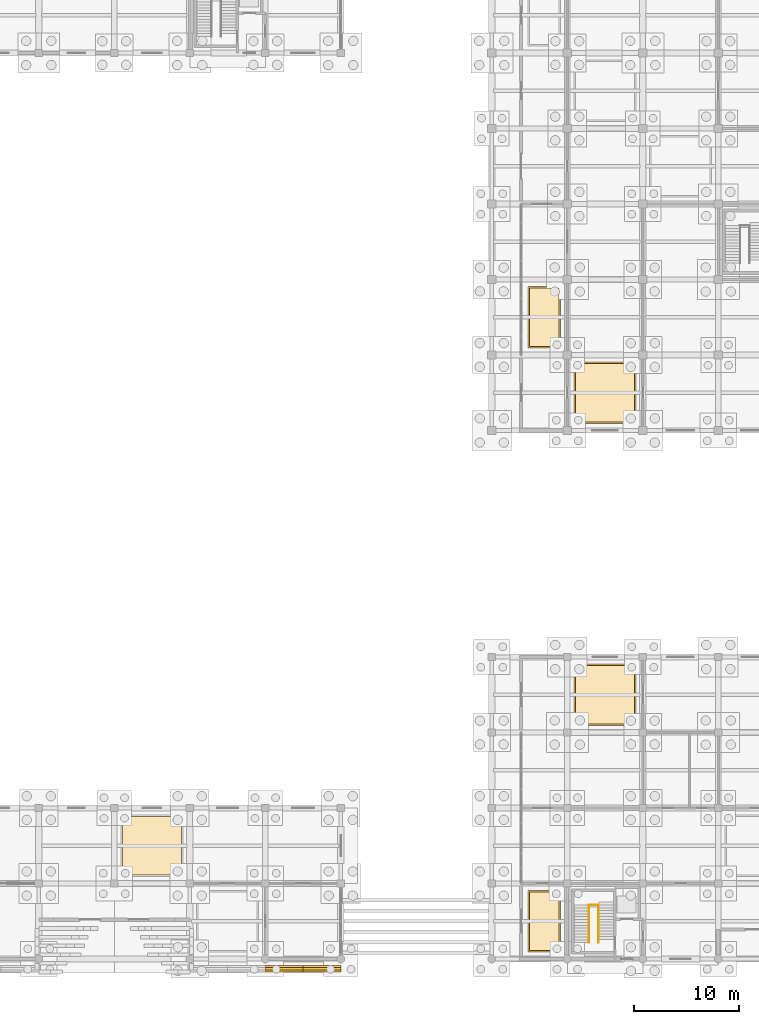
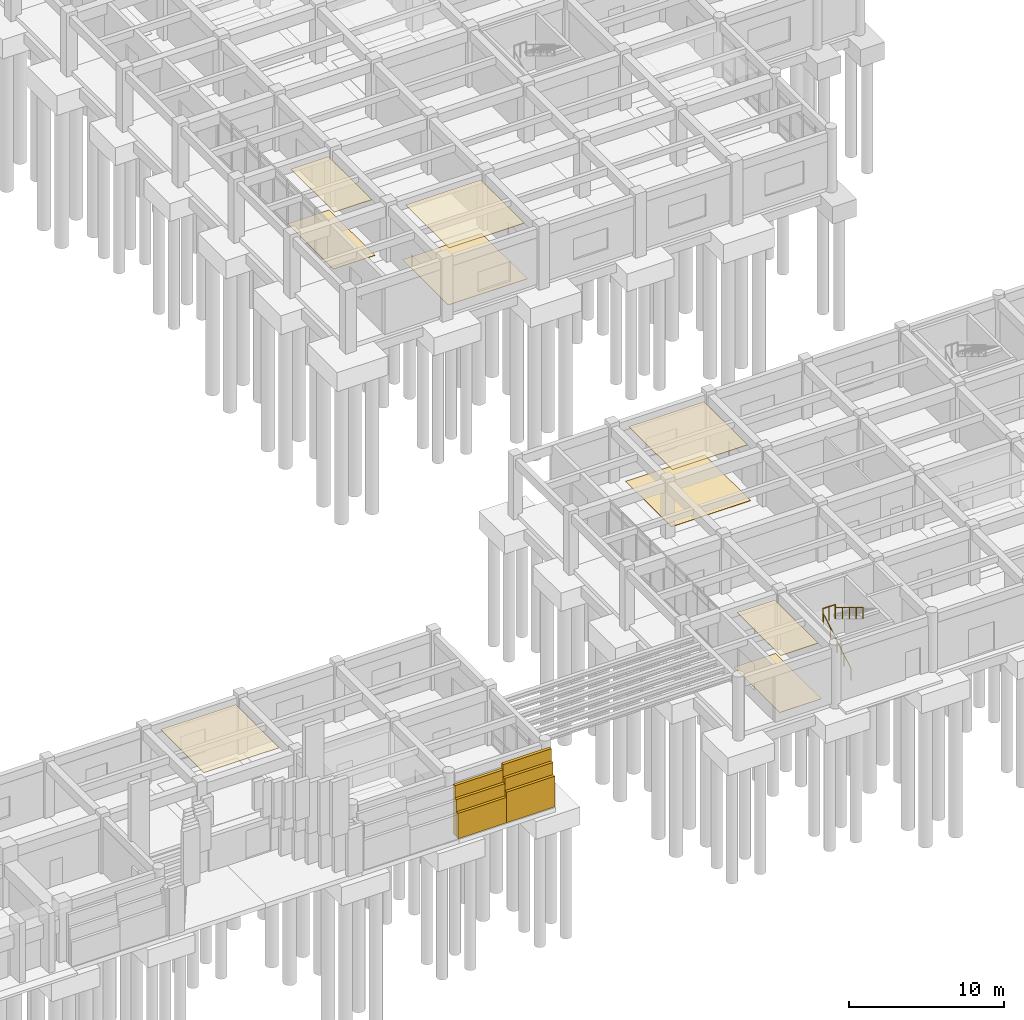
# One storey, part 73 of 79: 15 coverings, 3 railings.
"""IFC4 building model written with IfcOpenShell, lengths in metres."""

from ifc_helpers import new_model, si_unit, direction, frame, origin, origin_2d, place, context, subcontext, project, spatial, polyline, circle, outline, extrude, material, layer, layer_set, type_object, element, save


model = new_model("IFC4")

# Units and contexts
model_context = context("Model", 3, precision=1e-05, world=origin(), true_north=direction((0.0, 1.0)))
body_context = subcontext(model_context, "Body", "Model", "MODEL_VIEW")
ifc_project = project(units=[si_unit("LENGTHUNIT", "METRE"), si_unit("AREAUNIT", "SQUARE_METRE"), si_unit("VOLUMEUNIT", "CUBIC_METRE"), si_unit("PLANEANGLEUNIT", "RADIAN"), si_unit("MASSUNIT", "GRAM", prefix="KILO")], contexts=[model_context])

# Site, building, storey
site_placement = place(None, origin())
site = spatial("IfcSite", under=ifc_project, at=site_placement, CompositionType="ELEMENT")
building_placement = place(site_placement, origin())
building = spatial("IfcBuilding", under=site, at=building_placement, Name="Kavelor Marine Aquarium", CompositionType="ELEMENT")
storey_placement = place(building_placement, origin())
storey = spatial("IfcBuildingStorey", under=building, at=storey_placement, Name="L00", CompositionType="ELEMENT", Elevation=0.0)

# Coverings
ifc_material_1 = material(Name="Concrete C45/55", Category="concrete")
ifc_layer_1 = layer(ifc_material_1, 0.300048828125)
ifc_layer_set_1 = layer_set([ifc_layer_1], Name="COV-BND1")
covering_type_1 = type_object("IfcCoveringType", Name="COV-BND1", PredefinedType="CLADDING", material=ifc_layer_set_1)
covering_1_placement = place(storey_placement, origin())
element("IfcCovering", 1, at=covering_1_placement, inside=storey, type_object=covering_type_1, Name="band:south:1:r:02", PredefinedType="CLADDING", context=body_context, shape_type="SweptSolid", body=[
    extrude(outline(polyline([(96.800048828125, 1.56005859375), (100.39990234375, 1.56005859375), (100.39990234375, 1.780029296875), (96.800048828125, 1.780029296875), (96.800048828125, 1.56005859375)])), origin(), (0.0, 0.0, 1.0), 2.00048828125),
])
covering_2_placement = place(storey_placement, origin())
element("IfcCovering", 2, at=covering_2_placement, inside=storey, type_object=covering_type_1, Name="band:south:1:r:03", PredefinedType="CLADDING", context=body_context, shape_type="SweptSolid", body=[
    extrude(outline(polyline([(100.39990234375, 1.56005859375), (104.0, 1.56005859375), (104.0, 1.780029296875), (100.39990234375, 1.780029296875), (100.39990234375, 1.56005859375)])), origin(), (0.0, 0.0, 1.0), 2.4111328125),
])
ifc_material_2 = material(Name="Concrete C45/55", Category="concrete")
ifc_layer_2 = layer(ifc_material_2, 0.320068359375)
ifc_layer_set_2 = layer_set([ifc_layer_2], Name="COV-BND2")
covering_type_2 = type_object("IfcCoveringType", Name="COV-BND2", PredefinedType="CLADDING", material=ifc_layer_set_2)
covering_3_placement = place(storey_placement, origin())
element("IfcCovering", 3, at=covering_3_placement, inside=storey, type_object=covering_type_2, Name="band:south:2:r:02", PredefinedType="CLADDING", context=body_context, shape_type="SweptSolid", body=[
    extrude(outline(polyline([(96.800048828125, 1.77001953125), (100.39990234375, 1.77001953125), (100.39990234375, 1.989990234375), (96.800048828125, 1.989990234375), (96.800048828125, 1.77001953125)])), origin(), (0.0, 0.0, 1.0), 2.96044921875),
])
covering_4_placement = place(storey_placement, origin())
element("IfcCovering", 4, at=covering_4_placement, inside=storey, type_object=covering_type_2, Name="band:south:2:r:03", PredefinedType="CLADDING", context=body_context, shape_type="SweptSolid", body=[
    extrude(outline(polyline([(100.39990234375, 1.77001953125), (104.0, 1.77001953125), (104.0, 1.989990234375), (100.39990234375, 1.989990234375), (100.39990234375, 1.77001953125)])), origin(), (0.0, 0.0, 1.0), 3.37109375),
])
ifc_material_3 = material(Name="Concrete C45/55", Category="concrete")
ifc_layer_3 = layer(ifc_material_3, 0.340087890625)
ifc_layer_set_3 = layer_set([ifc_layer_3], Name="COV-BND3")
covering_type_3 = type_object("IfcCoveringType", Name="COV-BND3", PredefinedType="CLADDING", material=ifc_layer_set_3)
covering_5_placement = place(storey_placement, origin())
element("IfcCovering", 5, at=covering_5_placement, inside=storey, type_object=covering_type_3, Name="band:south:3:r:02", PredefinedType="CLADDING", context=body_context, shape_type="SweptSolid", body=[
    extrude(outline(polyline([(96.800048828125, 1.97998046875), (100.39990234375, 1.97998046875), (100.39990234375, 2.199951171875), (96.800048828125, 2.199951171875), (96.800048828125, 1.97998046875)])), origin(), (0.0, 0.0, 1.0), 3.92041015625),
])
covering_6_placement = place(storey_placement, origin())
element("IfcCovering", 6, at=covering_6_placement, inside=storey, type_object=covering_type_3, Name="band:south:3:r:03", PredefinedType="CLADDING", context=body_context, shape_type="SweptSolid", body=[
    extrude(outline(polyline([(100.39990234375, 1.97998046875), (104.0, 1.97998046875), (104.0, 2.199951171875), (100.39990234375, 2.199951171875), (100.39990234375, 1.97998046875)])), origin(), (0.0, 0.0, 1.0), 4.3310546875),
])
ifc_material_4 = material(Name="Moisture-Resistant Acoustic Mineral-Fibre Ceiling")
ifc_layer_4 = layer(ifc_material_4, 0.0400390625)
ifc_layer_set_4 = layer_set([ifc_layer_4], Name="COV-CE1")
covering_type_4 = type_object("IfcCoveringType", Name="COV-CE1", PredefinedType="CEILING", material=ifc_layer_set_4)
covering_7_placement = place(storey_placement, frame((0.0, 0.0, 4.340087890625)))
element("IfcCovering", 7, at=covering_7_placement, inside=storey, type_object=covering_type_4, Name="ceil:L00:11_01", PredefinedType="CEILING", context=body_context, shape_type="SweptSolid", body=[
    extrude(outline(polyline([(83.199951171875, 10.800048828125), (88.800048828125, 10.800048828125), (88.800048828125, 16.39990234375), (83.199951171875, 16.39990234375), (83.199951171875, 10.800048828125)])), origin(), (0.0, 0.0, 1.0), 0.039794921875),
])
covering_8_placement = place(storey_placement, frame((0.0, 0.0, 4.340087890625)))
element("IfcCovering", 8, at=covering_8_placement, inside=storey, type_object=covering_type_4, Name="ceil:L00:16_00", PredefinedType="CEILING", context=body_context, shape_type="SweptSolid", body=[
    extrude(outline(polyline([(122.0, 3.60009765625), (124.800048828125, 3.60009765625), (124.800048828125, 9.199951171875), (122.0, 9.199951171875), (122.0, 3.60009765625)])), origin(), (0.0, 0.0, 1.0), 0.039794921875),
])
covering_9_placement = place(storey_placement, frame((0.0, 0.0, 4.340087890625)))
element("IfcCovering", 9, at=covering_9_placement, inside=storey, type_object=covering_type_4, Name="ceil:L00:16_08", PredefinedType="CEILING", context=body_context, shape_type="SweptSolid", body=[
    extrude(outline(polyline([(122.0, 61.199951171875), (124.800048828125, 61.199951171875), (124.800048828125, 66.800048828125), (122.0, 66.800048828125), (122.0, 61.199951171875)])), origin(), (0.0, 0.0, 1.0), 0.039794921875),
])
covering_10_placement = place(storey_placement, frame((0.0, 0.0, 4.340087890625)))
element("IfcCovering", 10, at=covering_10_placement, inside=storey, type_object=covering_type_4, Name="ceil:L00:17_03", PredefinedType="CEILING", context=body_context, shape_type="SweptSolid", body=[
    extrude(outline(polyline([(126.39990234375, 25.199951171875), (132.0, 25.199951171875), (132.0, 30.800048828125), (126.39990234375, 30.800048828125), (126.39990234375, 25.199951171875)])), origin(), (0.0, 0.0, 1.0), 0.039794921875),
])
covering_11_placement = place(storey_placement, frame((0.0, 0.0, 4.340087890625)))
element("IfcCovering", 11, at=covering_11_placement, inside=storey, type_object=covering_type_4, Name="ceil:L00:17_07", PredefinedType="CEILING", context=body_context, shape_type="SweptSolid", body=[
    extrude(outline(polyline([(126.39990234375, 54.0), (132.0, 54.0), (132.0, 59.60009765625), (126.39990234375, 59.60009765625), (126.39990234375, 54.0)])), origin(), (0.0, 0.0, 1.0), 0.039794921875),
])
ifc_material_5 = material(Name="Polished Coastal Terrazzo Flooring")
ifc_layer_5 = layer(ifc_material_5, 0.030029296875)
ifc_layer_set_5 = layer_set([ifc_layer_5], Name="COV-FL1")
covering_type_5 = type_object("IfcCoveringType", Name="COV-FL1", PredefinedType="FLOORING", material=ifc_layer_set_5)
covering_12_placement = place(storey_placement, origin())
element("IfcCovering", 12, at=covering_12_placement, inside=storey, type_object=covering_type_5, Name="flr:L00:16_00", PredefinedType="FLOORING", context=body_context, shape_type="SweptSolid", body=[
    extrude(outline(polyline([(121.85009765625, 3.449951171875), (124.949951171875, 3.449951171875), (124.949951171875, 9.35009765625), (121.85009765625, 9.35009765625), (121.85009765625, 3.449951171875)])), origin(), (0.0, 0.0, 1.0), 0.030029296875),
])
covering_13_placement = place(storey_placement, origin())
element("IfcCovering", 13, at=covering_13_placement, inside=storey, type_object=covering_type_5, Name="flr:L00:16_08", PredefinedType="FLOORING", context=body_context, shape_type="SweptSolid", body=[
    extrude(outline(polyline([(121.85009765625, 61.050048828125), (124.949951171875, 61.050048828125), (124.949951171875, 66.949951171875), (121.85009765625, 66.949951171875), (121.85009765625, 61.050048828125)])), origin(), (0.0, 0.0, 1.0), 0.030029296875),
])
covering_14_placement = place(storey_placement, origin())
element("IfcCovering", 14, at=covering_14_placement, inside=storey, type_object=covering_type_5, Name="flr:L00:17_03", PredefinedType="FLOORING", context=body_context, shape_type="SweptSolid", body=[
    extrude(outline(polyline([(126.25, 25.050048828125), (132.14990234375, 25.050048828125), (132.14990234375, 30.949951171875), (126.25, 30.949951171875), (126.25, 25.050048828125)])), origin(), (0.0, 0.0, 1.0), 0.030029296875),
])
covering_15_placement = place(storey_placement, origin())
element("IfcCovering", 15, at=covering_15_placement, inside=storey, type_object=covering_type_5, Name="flr:L00:17_07", PredefinedType="FLOORING", context=body_context, shape_type="SweptSolid", body=[
    extrude(outline(polyline([(126.25, 53.85009765625), (132.14990234375, 53.85009765625), (132.14990234375, 59.75), (126.25, 59.75), (126.25, 53.85009765625)])), origin(), (0.0, 0.0, 1.0), 0.030029296875),
])

# Railings
ifc_material_6 = material(Name="Brushed Stainless Steel Wall and Flight Handrail", Category="steel")
railing_type_1 = type_object("IfcRailingType", Name="RL-HR1", PredefinedType="HANDRAIL", material=ifc_material_6)
railing_1_placement = place(storey_placement, frame((127.68994140625, 4.360107421875, 0.0)))
element("IfcRailing", 16, at=railing_1_placement, inside=storey, type_object=railing_type_1, Name="Stair Handrail ST08-1", PredefinedType="HANDRAIL", context=body_context, shape_type="SweptSolid", body=[
    extrude(circle(Radius=0.02001953125, at=origin_2d()), frame((0.0, 0.0, 0.8798828125), z_axis=(0.0, 0.854538701388, 0.519387723988), x_axis=(-1.0, 0.0, 0.0)), (0.0, 0.0, 1.0), 4.18359375),
    extrude(circle(Radius=0.01806640625, at=origin_2d()), origin(), (0.0, 0.0, 1.0), 0.85986328125),
    extrude(circle(Radius=0.01806640625, at=origin_2d()), frame((0.0, 0.893798828125, 0.543212890625)), (0.0, 0.0, 1.0), 0.85986328125),
    extrude(circle(Radius=0.01806640625, at=origin_2d()), frame((0.0, 1.78759765625, 1.08642578125)), (0.0, 0.0, 1.0), 0.85986328125),
    extrude(circle(Radius=0.01806640625, at=origin_2d()), frame((0.0, 2.68115234375, 1.629638671875)), (0.0, 0.0, 1.0), 0.85986328125),
    extrude(circle(Radius=0.01806640625, at=origin_2d()), frame((0.0, 3.574951171875, 2.1728515625)), (0.0, 0.0, 1.0), 0.85986328125),
])
railing_2_placement = place(storey_placement, frame((128.590087890625, 7.93505859375, 2.340087890625)))
element("IfcRailing", 17, at=railing_2_placement, inside=storey, type_object=railing_type_1, Name="Stair Handrail ST08-2", PredefinedType="HANDRAIL", context=body_context, shape_type="SweptSolid", body=[
    extrude(circle(Radius=0.02001953125, at=origin_2d()), frame((0.0, 0.0, 0.8798828125), z_axis=(0.0, -0.854538701388, 0.519387723988), x_axis=(1.0, 0.0, 0.0)), (0.0, 0.0, 1.0), 4.18359375),
    extrude(circle(Radius=0.01806640625, at=origin_2d()), origin(), (0.0, 0.0, 1.0), 0.85986328125),
    extrude(circle(Radius=0.01806640625, at=origin_2d()), frame((0.0, -0.893798828125, 0.543212890625)), (0.0, 0.0, 1.0), 0.85986328125),
    extrude(circle(Radius=0.01806640625, at=origin_2d()), frame((0.0, -1.78759765625, 1.08642578125)), (0.0, 0.0, 1.0), 0.85986328125),
    extrude(circle(Radius=0.01806640625, at=origin_2d()), frame((0.0, -2.68115234375, 1.629638671875)), (0.0, 0.0, 1.0), 0.85986328125),
    extrude(circle(Radius=0.01806640625, at=origin_2d()), frame((0.0, -3.574951171875, 2.1728515625)), (0.0, 0.0, 1.0), 0.85986328125),
])
ifc_material_7 = material(Name="Brushed Stainless Steel Stair Guardrail", Category="steel")
railing_type_2 = type_object("IfcRailingType", Name="RL-SG1", PredefinedType="GUARDRAIL", material=ifc_material_7)
railing_3_placement = place(storey_placement, frame((127.68994140625, 7.965087890625, 2.340087890625)))
element("IfcRailing", 18, at=railing_3_placement, inside=storey, type_object=railing_type_2, Name="Landing Guardrail ST08-M", PredefinedType="GUARDRAIL", context=body_context, shape_type="SweptSolid", body=[
    extrude(circle(Radius=0.0224609375, at=origin_2d()), frame((0.0, 0.0, 1.09765625), z_axis=(1.0, 0.0, 0.0), x_axis=(0.0, 1.0, 0.0)), (0.0, 0.0, 1.0), 0.900146484375),
    extrude(circle(Radius=0.02099609375, at=origin_2d()), origin(), (0.0, 0.0, 1.0), 1.0751953125),
    extrude(circle(Radius=0.02099609375, at=origin_2d()), frame((0.4501953125, 0.0, 0.0)), (0.0, 0.0, 1.0), 1.0751953125),
    extrude(circle(Radius=0.02099609375, at=origin_2d()), frame((0.900146484375, 0.0, 0.0)), (0.0, 0.0, 1.0), 1.0751953125),
])

save(model, "model.ifc")
